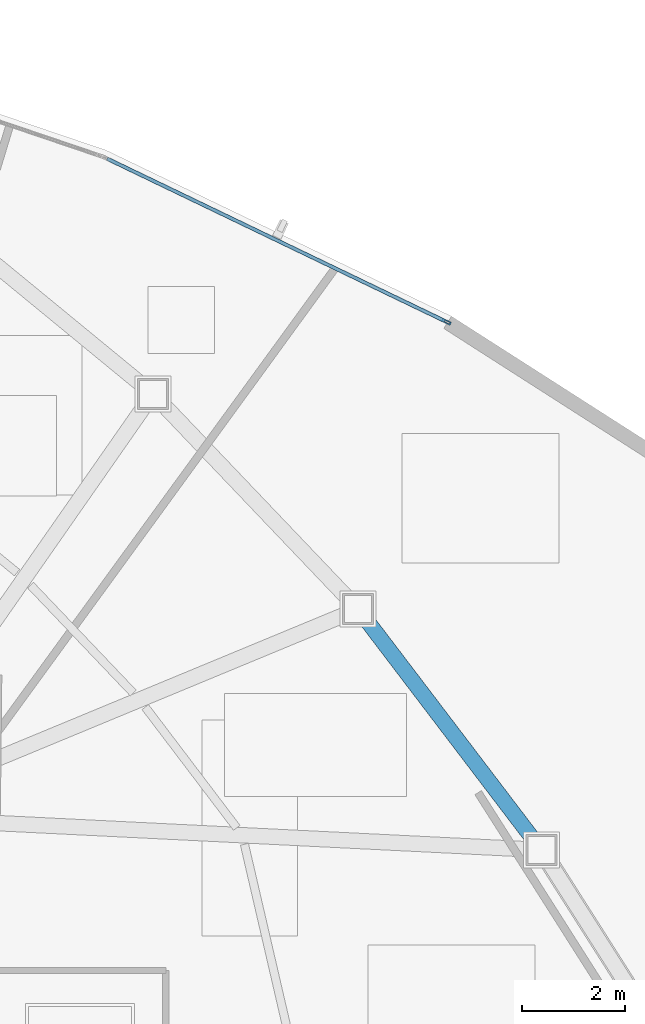
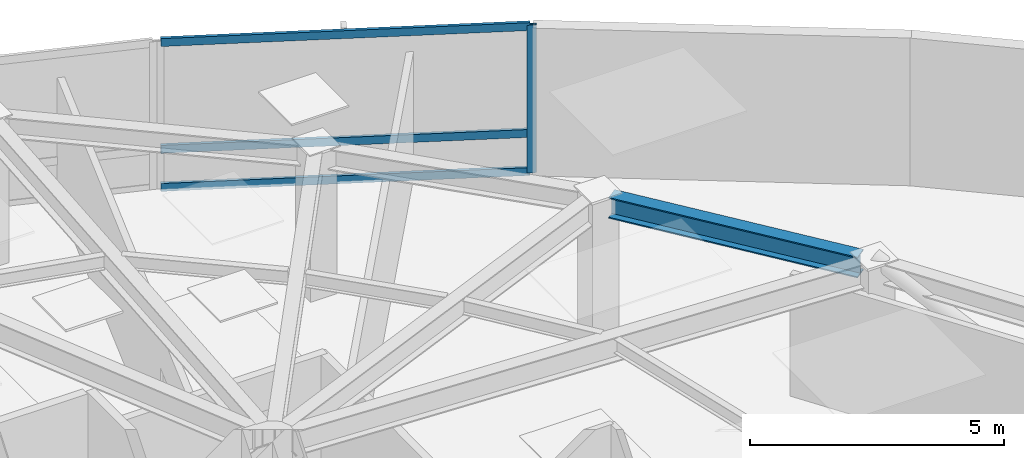
# One storey, part 9 of 17: 4 members, 1 beam, 1 element without a shape of its own.
"""IFC4 building model written with IfcOpenShell, lengths in metres."""

from ifc_helpers import new_model, si_unit, direction, frame, origin, origin_2d, place, context, subcontext, project, spatial, hollow_rectangle, i_section, extrude, source, transform, mapped, material, layer, layer_set, material_profile, profile_set, type_object, type_shapes, element, aggregate, save


model = new_model("IFC4")

# Units and contexts
model_context = context("Model", 3, precision=1e-05, world=origin(), true_north=direction((0.0, 1.0)))
body_context = subcontext(model_context, "Body", "Model", "MODEL_VIEW")
ifc_project = project(units=[si_unit("LENGTHUNIT", "METRE"), si_unit("AREAUNIT", "SQUARE_METRE"), si_unit("VOLUMEUNIT", "CUBIC_METRE"), si_unit("PLANEANGLEUNIT", "RADIAN"), si_unit("MASSUNIT", "GRAM", prefix="KILO")], contexts=[model_context])

# Site, building, storey
site_placement = place(None, origin())
site = spatial("IfcSite", under=ifc_project, at=site_placement, CompositionType="ELEMENT")
building_placement = place(site_placement, origin())
building = spatial("IfcBuilding", under=site, at=building_placement, Name="Tavelor Broadcast Tower", CompositionType="ELEMENT")
storey_placement = place(building_placement, frame((0.0, 0.0, 192.60009765625)))
storey = spatial("IfcBuildingStorey", under=building, at=storey_placement, Name="L46", CompositionType="ELEMENT", Elevation=192.60009765625)

# Beam
ifc_material_1 = material(Name="Steel S355", Category="steel")
ifc_material_profile_1 = material_profile(ifc_material_1, i_section(OverallWidth=0.300048828125, OverallDepth=0.5, WebThickness=0.014404296875, FlangeThickness=0.028076171875, at=origin_2d()), Name="HEB 500")
ifc_profile_set_1 = profile_set([ifc_material_profile_1], Name="Steel S355")
beam_type = type_object("IfcBeamType", Name="Perimeter Spandrel Beam T4 HEB 500", PredefinedType="SPANDREL", material=ifc_profile_set_1)
beam_placement = place(storey_placement, frame((69.711669921875, 50.7734375, 3.2998046875), z_axis=(-0.605502841959, 0.795843143075, 0.0), x_axis=(-0.795843143075, -0.605502841959, 0.0)))
element("IfcBeam", 1, at=beam_placement, inside=storey, type_object=beam_type, Name="L46 Framed-Tube Ring Spandrel 14", PredefinedType="SPANDREL", context=body_context, shape_type="SweptSolid", body=[
    extrude(i_section(OverallWidth=0.300048828125, OverallDepth=0.5, WebThickness=0.014404296875, FlangeThickness=0.028076171875, at=origin_2d()), origin(), (0.0, 0.0, 1.0), 5.310302734375),
])

# Curtain wall, members
ifc_material_2 = material(Name="Architectural Anodized Aluminium", Category="aluminium")
ifc_layer = layer(ifc_material_2, 0.18994140625)
ifc_layer_set = layer_set([ifc_layer], Name="Architectural Anodized Aluminium")
curtain_wall_type = type_object("IfcCurtainWallType", Name="Tower Mid-Zone Acoustic Curtain Wall CW03", PredefinedType="NOTDEFINED", material=ifc_layer_set)
curtain_wall_placement = place(storey_placement, origin())
curtain_wall = element("IfcCurtainWall", 2, at=curtain_wall_placement, inside=storey, type_object=curtain_wall_type, Name="L46 Curtain Wall CW03 Run 501", PredefinedType="NOTDEFINED")
ifc_material_profile_2 = material_profile(ifc_material_2, hollow_rectangle(XDim=0.068115234375, YDim=0.18994140625, WallThickness=0.02197265625, at=origin_2d()), Name="RHS 68x190x22")
ifc_profile_set_2 = profile_set([ifc_material_profile_2], Name="Architectural Anodized Aluminium")
member_type_1 = type_object("IfcMemberType", Name="CW03 Extruded Aluminium Mullion 68x190", PredefinedType="MULLION", material=ifc_profile_set_2)
shared_shape_1 = source(origin(), body_context, "Body", "SweptSolid", [
    extrude(hollow_rectangle(XDim=0.068115234375, YDim=0.18994140625, WallThickness=0.02197265625, at=origin_2d()), origin(), (0.0, 0.0, 1.0), 3.5498046875),
])
type_shapes(member_type_1, [shared_shape_1])
member_1_placement = place(storey_placement, frame((68.03662109375, 60.81982421875, 0.0), z_axis=(0.0, 0.0, 1.0), x_axis=(-0.433259707065, -0.90126911976, 0.0)))
member_1 = element("IfcMember", 3, at=member_1_placement, type_object=member_type_1, Name="CW03 mullion 1", PredefinedType="MULLION", context=body_context, shape_type="MappedRepresentation", body=[
    mapped(shared_shape_1, transform((0.0, 0.0, 0.0), scale=1.0)),
])
ifc_material_profile_3 = material_profile(ifc_material_2, hollow_rectangle(XDim=0.068115234375, YDim=0.18994140625, WallThickness=0.02197265625, at=origin_2d()), Name="RHS 68x190x22")
ifc_profile_set_3 = profile_set([ifc_material_profile_3], Name="Architectural Anodized Aluminium")
member_type_2 = type_object("IfcMemberType", Name="CW03 Extruded Aluminium Transom 68x190", PredefinedType="USERDEFINED", material=ifc_profile_set_3)
shared_shape_2 = source(origin(), body_context, "Body", "SweptSolid", [
    extrude(hollow_rectangle(XDim=0.068115234375, YDim=0.18994140625, WallThickness=0.02197265625, at=origin_2d()), origin(), (0.0, 0.0, 1.0), 7.285400390625),
])
type_shapes(member_type_2, [shared_shape_2])
member_2_placement = place(storey_placement, frame((68.005859375, 60.83447265625, 0.033935546875), z_axis=(-0.90126928487, 0.433259363602, 0.0), x_axis=(-0.433259363602, -0.90126928487, 0.0)))
member_2 = element("IfcMember", 4, at=member_2_placement, type_object=member_type_2, Name="CW03 transom 1.1", ObjectType="TRANSOM", PredefinedType="USERDEFINED", context=body_context, shape_type="MappedRepresentation", body=[
    mapped(shared_shape_2, transform((0.0, 0.0, 0.0), scale=1.0)),
])
member_3_placement = place(storey_placement, frame((68.005859375, 60.83447265625, 0.949951171875), z_axis=(-0.90126928487, 0.433259363602, 0.0), x_axis=(-0.433259363602, -0.90126928487, 0.0)))
member_3 = element("IfcMember", 5, at=member_3_placement, type_object=member_type_2, Name="CW03 transom 1.2", ObjectType="TRANSOM", PredefinedType="USERDEFINED", context=body_context, shape_type="MappedRepresentation", body=[
    mapped(shared_shape_2, transform((0.0, 0.0, 0.0), scale=1.0)),
])
member_4_placement = place(storey_placement, frame((68.005859375, 60.83447265625, 3.515869140625), z_axis=(-0.90126928487, 0.433259363602, 0.0), x_axis=(-0.433259363602, -0.90126928487, 0.0)))
member_4 = element("IfcMember", 6, at=member_4_placement, type_object=member_type_2, Name="CW03 transom 1.3", ObjectType="TRANSOM", PredefinedType="USERDEFINED", context=body_context, shape_type="MappedRepresentation", body=[
    mapped(shared_shape_2, transform((0.0, 0.0, 0.0), scale=1.0)),
])
aggregate(curtain_wall, [member_1, member_2, member_3, member_4])

save(model, "model.ifc")
